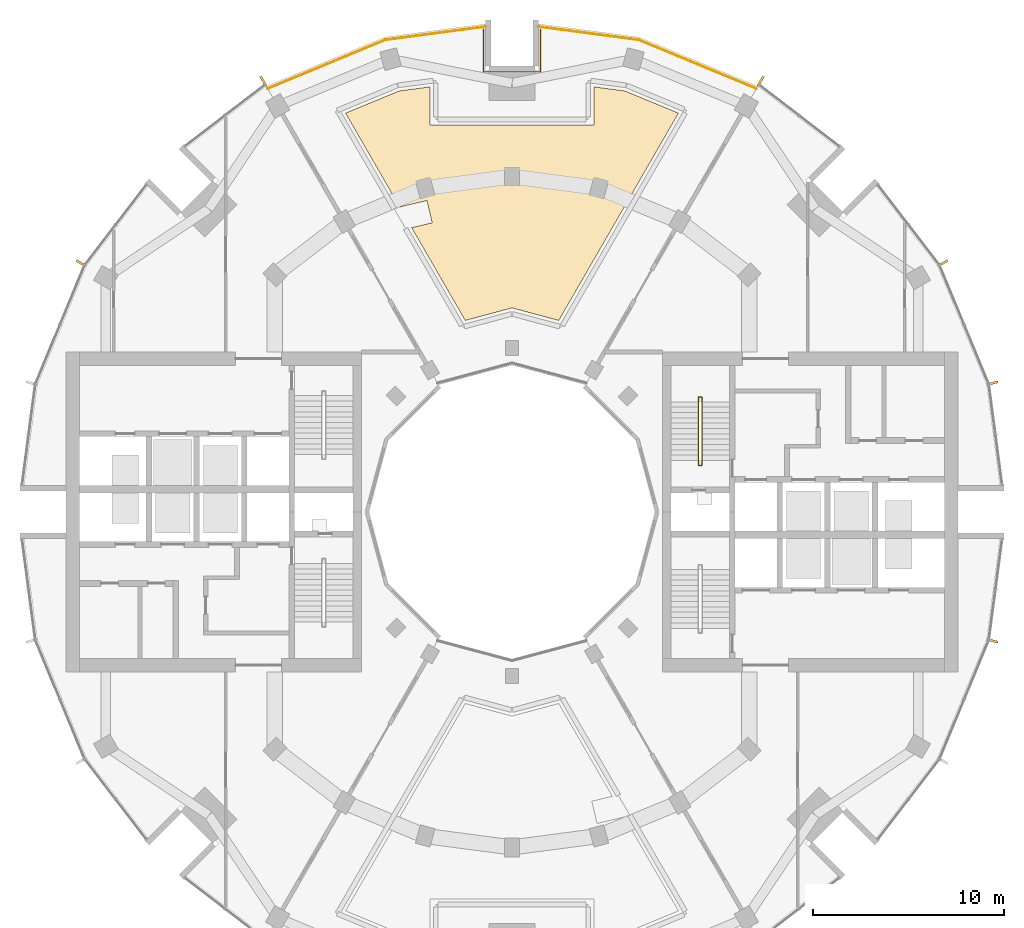
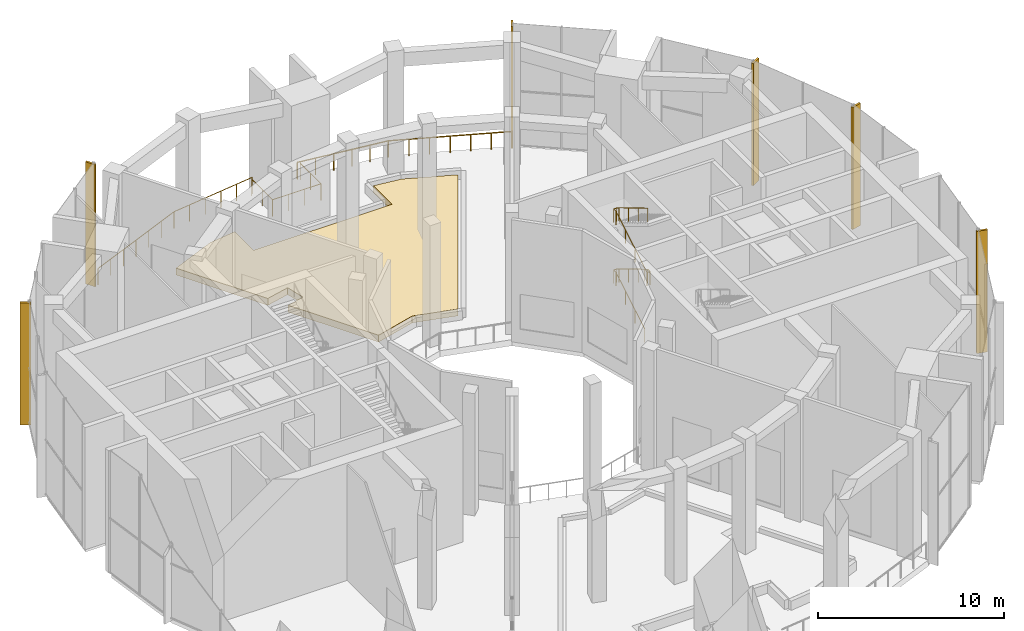
# One storey, part 17 of 18: 6 shading devices, 4 railings, 1 covering.
"""IFC4 building model written with IfcOpenShell, lengths in metres."""

from ifc_helpers import new_model, si_unit, direction, frame, origin, origin_2d, place, context, subcontext, project, spatial, polyline, rectangle, circle, outline, extrude, material, layer, layer_set, material_profile, profile_set, type_object, element, save


model = new_model("IFC4")

# Units and contexts
model_context = context("Model", 3, precision=1e-05, world=origin(), true_north=direction((0.0, 1.0)))
body_context = subcontext(model_context, "Body", "Model", "MODEL_VIEW")
ifc_project = project(units=[si_unit("LENGTHUNIT", "METRE"), si_unit("AREAUNIT", "SQUARE_METRE"), si_unit("VOLUMEUNIT", "CUBIC_METRE"), si_unit("PLANEANGLEUNIT", "RADIAN"), si_unit("MASSUNIT", "GRAM", prefix="KILO")], contexts=[model_context])

# Site, building, storey
site_placement = place(None, origin())
site = spatial("IfcSite", under=ifc_project, at=site_placement, CompositionType="ELEMENT")
building_placement = place(site_placement, origin())
building = spatial("IfcBuilding", under=site, at=building_placement, Name="Torre Brocal", CompositionType="ELEMENT")
storey_placement = place(building_placement, frame((0.0, 0.0, 149.699951171875)))
storey = spatial("IfcBuildingStorey", under=building, at=storey_placement, Name="L35", CompositionType="ELEMENT", Elevation=149.699951171875)

# Shading devices
ifc_material_1 = material(Name="Aluminium, black anodised", Category="aluminium")
ifc_material_profile = material_profile(ifc_material_1, rectangle(XDim=0.1201171875, YDim=0.60009765625, at=origin_2d()), Name="FIN 120X600 8000 HIGH")
ifc_profile_set = profile_set([ifc_material_profile], Name="Aluminium, black anodised")
shading_device_type = type_object("IfcShadingDeviceType", Name="FIN 120X600 8000 HIGH", PredefinedType="USERDEFINED", material=ifc_profile_set)
for number, where, z_axis, x_axis, name in (
    (1, (105.208984375, 81.754638671875, -0.14990234375), (0.0, 0.0, 1.0), (-0.258819045103, 0.965925826289, 0.0), "FIN"),
    (2, (102.601806640625, 88.049072265625, -0.14990234375), (0.0, 0.0, 1.0), (-0.5, 0.866025403784, 0.0), "FIN"),
    (3, (93.049072265625, 97.601806640625, -0.14990234375), (0.0, 0.0, 1.0), (-0.866025403784, 0.5, 0.0), "FIN"),
    (4, (66.950927734375, 97.601806640625, -0.14990234375), (0.0, 0.0, 1.0), (-0.866025403784, -0.5, 0.0), "FIN"),
    (5, (57.398193359375, 88.049072265625, -0.14990234375), (0.0, 0.0, 1.0), (-0.5, -0.866025403784, 0.0), "FIN"),
    (6, (105.208984375, 68.245361328125, -0.14990234375), (0.0, 0.0, 1.0), (0.258819045103, 0.965925826289, 0.0), "FIN"),
):
    element("IfcShadingDevice", number, at=place(storey_placement, frame(where, z_axis=z_axis, x_axis=x_axis)), inside=storey, type_object=shading_device_type, Name=name, ObjectType="FIN", PredefinedType="USERDEFINED", context=body_context, shape_type="SweptSolid", body=[
        extrude(rectangle(XDim=0.1201171875, YDim=0.60009765625, at=origin_2d()), origin(), (0.0, 0.0, 1.0), 8.0),
    ])

# Railings
ifc_material_2 = material(Name="Laminated glass", Category="glass")
railing_type_1 = type_object("IfcRailingType", Name="GLASS BALUSTRADE 1100", PredefinedType="BALUSTRADE", material=ifc_material_2)
railing_1_placement = place(storey_placement, frame((92.823486328125, 97.2109375, 0.0)))
element("IfcRailing", 7, at=railing_1_placement, inside=storey, type_object=railing_type_1, Name="GLASS BALUSTRADE", PredefinedType="BALUSTRADE", context=body_context, shape_type="SweptSolid", body=[
    extrude(circle(Radius=0.02392578125, at=origin_2d()), frame((0.0, 0.0, 1.076171875), z_axis=(-0.923873277269, 0.382698533507, 0.0), x_axis=(-0.382698533507, -0.923873277269, 0.0)), (0.0, 0.0, 1.0), 6.6953125),
    extrude(circle(Radius=0.02392578125, at=origin_2d()), frame((-6.185546875, 2.562255859375, 1.076171875), z_axis=(-0.991448474977, 0.130498741241, 0.0), x_axis=(-0.130498741241, -0.991448474977, 0.0)), (0.0, 0.0, 1.0), 5.283203125),
    extrude(circle(Radius=0.02099609375, at=origin_2d()), origin(), (0.0, 0.0, 1.0), 1.052001953125),
    extrude(circle(Radius=0.02099609375, at=origin_2d()), frame((-1.031005859375, 0.427001953125, 0.0)), (0.0, 0.0, 1.0), 1.052001953125),
    extrude(circle(Radius=0.02099609375, at=origin_2d()), frame((-2.061767578125, 0.85400390625, 0.0)), (0.0, 0.0, 1.0), 1.052001953125),
    extrude(circle(Radius=0.02099609375, at=origin_2d()), frame((-3.0927734375, 1.28125, 0.0)), (0.0, 0.0, 1.0), 1.052001953125),
    extrude(circle(Radius=0.02099609375, at=origin_2d()), frame((-4.123779296875, 1.708251953125, 0.0)), (0.0, 0.0, 1.0), 1.052001953125),
    extrude(circle(Radius=0.02099609375, at=origin_2d()), frame((-5.154541015625, 2.13525390625, 0.0)), (0.0, 0.0, 1.0), 1.052001953125),
    extrude(circle(Radius=0.02099609375, at=origin_2d()), frame((-6.185546875, 2.562255859375, 0.0)), (0.0, 0.0, 1.0), 1.052001953125),
    extrude(circle(Radius=0.02099609375, at=origin_2d()), frame((-7.233154296875, 2.7001953125, 0.0)), (0.0, 0.0, 1.0), 1.052001953125),
    extrude(circle(Radius=0.02099609375, at=origin_2d()), frame((-8.28076171875, 2.838134765625, 0.0)), (0.0, 0.0, 1.0), 1.052001953125),
    extrude(circle(Radius=0.02099609375, at=origin_2d()), frame((-9.328369140625, 2.975830078125, 0.0)), (0.0, 0.0, 1.0), 1.052001953125),
    extrude(circle(Radius=0.02099609375, at=origin_2d()), frame((-10.3759765625, 3.11376953125, 0.0)), (0.0, 0.0, 1.0), 1.052001953125),
    extrude(circle(Radius=0.02099609375, at=origin_2d()), frame((-11.423583984375, 3.251708984375, 0.0)), (0.0, 0.0, 1.0), 1.052001953125),
])
railing_2_placement = place(storey_placement, frame((78.60009765625, 100.462646484375, 0.0)))
element("IfcRailing", 8, at=railing_2_placement, inside=storey, type_object=railing_type_1, Name="GLASS BALUSTRADE", PredefinedType="BALUSTRADE", context=body_context, shape_type="SweptSolid", body=[
    extrude(circle(Radius=0.02392578125, at=origin_2d()), frame((0.0, 0.0, 1.076171875), z_axis=(-0.991448474977, -0.130498741241, 0.0), x_axis=(0.130498741241, -0.991448474977, 0.0)), (0.0, 0.0, 1.0), 5.283203125),
    extrude(circle(Radius=0.02392578125, at=origin_2d()), frame((-5.238037109375, -0.689453125, 1.076171875), z_axis=(-0.923873277269, -0.382698533507, 0.0), x_axis=(0.382698533507, -0.923873277269, 0.0)), (0.0, 0.0, 1.0), 6.6953125),
    extrude(circle(Radius=0.02099609375, at=origin_2d()), origin(), (0.0, 0.0, 1.0), 1.052001953125),
    extrude(circle(Radius=0.02099609375, at=origin_2d()), frame((-1.047607421875, -0.137939453125, 0.0)), (0.0, 0.0, 1.0), 1.052001953125),
    extrude(circle(Radius=0.02099609375, at=origin_2d()), frame((-2.09521484375, -0.27587890625, 0.0)), (0.0, 0.0, 1.0), 1.052001953125),
    extrude(circle(Radius=0.02099609375, at=origin_2d()), frame((-3.142822265625, -0.41357421875, 0.0)), (0.0, 0.0, 1.0), 1.052001953125),
    extrude(circle(Radius=0.02099609375, at=origin_2d()), frame((-4.1904296875, -0.551513671875, 0.0)), (0.0, 0.0, 1.0), 1.052001953125),
    extrude(circle(Radius=0.02099609375, at=origin_2d()), frame((-5.238037109375, -0.689453125, 0.0)), (0.0, 0.0, 1.0), 1.052001953125),
    extrude(circle(Radius=0.02099609375, at=origin_2d()), frame((-6.26904296875, -1.116455078125, 0.0)), (0.0, 0.0, 1.0), 1.052001953125),
    extrude(circle(Radius=0.02099609375, at=origin_2d()), frame((-7.2998046875, -1.54345703125, 0.0)), (0.0, 0.0, 1.0), 1.052001953125),
    extrude(circle(Radius=0.02099609375, at=origin_2d()), frame((-8.330810546875, -1.970703125, 0.0)), (0.0, 0.0, 1.0), 1.052001953125),
    extrude(circle(Radius=0.02099609375, at=origin_2d()), frame((-9.36181640625, -2.397705078125, 0.0)), (0.0, 0.0, 1.0), 1.052001953125),
    extrude(circle(Radius=0.02099609375, at=origin_2d()), frame((-10.392578125, -2.82470703125, 0.0)), (0.0, 0.0, 1.0), 1.052001953125),
    extrude(circle(Radius=0.02099609375, at=origin_2d()), frame((-11.423583984375, -3.251708984375, 0.0)), (0.0, 0.0, 1.0), 1.052001953125),
])
ifc_material_3 = material(Name="Steel A36", Category="steel")
railing_type_2 = type_object("IfcRailingType", Name="GUARD 1100", PredefinedType="GUARDRAIL", material=ifc_material_3)
railing_3_placement = place(storey_placement, frame((78.5, 100.328369140625, 0.0)))
element("IfcRailing", 9, at=railing_3_placement, inside=storey, type_object=railing_type_2, Name="GUARD", PredefinedType="GUARDRAIL", context=body_context, shape_type="SweptSolid", body=[
    extrude(circle(Radius=0.02392578125, at=origin_2d()), frame((0.0, 0.0, 1.076171875), z_axis=(0.0, -1.0, 0.0), x_axis=(1.0, 0.0, 0.0)), (0.0, 0.0, 1.0), 2.228271484375),
    extrude(circle(Radius=0.02392578125, at=origin_2d()), frame((0.0, -2.228271484375, 1.076171875), z_axis=(1.0, 0.0, 0.0), x_axis=(0.0, 1.0, 0.0)), (0.0, 0.0, 1.0), 3.0),
    extrude(circle(Radius=0.02392578125, at=origin_2d()), frame((3.0, -2.228271484375, 1.076171875), z_axis=(0.0, 1.0, 0.0), x_axis=(-1.0, 0.0, 0.0)), (0.0, 0.0, 1.0), 2.228271484375),
    extrude(circle(Radius=0.02099609375, at=origin_2d()), origin(), (0.0, 0.0, 1.0), 1.052001953125),
    extrude(circle(Radius=0.02099609375, at=origin_2d()), frame((0.0, -1.1142578125, 0.0)), (0.0, 0.0, 1.0), 1.052001953125),
    extrude(circle(Radius=0.02099609375, at=origin_2d()), frame((0.0, -2.228271484375, 0.0)), (0.0, 0.0, 1.0), 1.052001953125),
    extrude(circle(Radius=0.02099609375, at=origin_2d()), frame((1.0, -2.228271484375, 0.0)), (0.0, 0.0, 1.0), 1.052001953125),
    extrude(circle(Radius=0.02099609375, at=origin_2d()), frame((2.0, -2.228271484375, 0.0)), (0.0, 0.0, 1.0), 1.052001953125),
    extrude(circle(Radius=0.02099609375, at=origin_2d()), frame((3.0, -2.228271484375, 0.0)), (0.0, 0.0, 1.0), 1.052001953125),
    extrude(circle(Radius=0.02099609375, at=origin_2d()), frame((3.0, -1.1142578125, 0.0)), (0.0, 0.0, 1.0), 1.052001953125),
    extrude(circle(Radius=0.02099609375, at=origin_2d()), frame((3.0, 0.0, 0.0)), (0.0, 0.0, 1.0), 1.052001953125),
])

# Covering
ifc_material_4 = material(Name="Planting soil")
ifc_layer = layer(ifc_material_4, 0.449951171875)
ifc_layer_set = layer_set([ifc_layer], Name="Planting soil")
covering_type = type_object("IfcCoveringType", Name="PLANTING SOIL 450", PredefinedType="FLOORING", material=ifc_layer_set)
covering_placement = place(storey_placement, origin())
element("IfcCovering", 10, at=covering_placement, inside=storey, type_object=covering_type, Name="PLANTING SOIL", PredefinedType="FLOORING", context=body_context, shape_type="SweptSolid", body=[
    extrude(outline(polyline([(75.699951171875, 97.30712890625), (75.699951171875, 95.300048828125), (84.300048828125, 95.300048828125), (84.300048828125, 97.30712890625), (85.919921875, 97.09375), (88.734375, 95.92822265625), (82.45458984375, 85.051513671875), (80.0, 85.70947265625), (77.54541015625, 85.051513671875), (74.7353515625, 89.91845703125), (75.813232421875, 90.174560546875), (75.53564453125, 91.342041015625), (74.109375, 91.003173828125), (71.265625, 95.92822265625), (74.080078125, 97.09375), (75.699951171875, 97.30712890625)])), origin(), (0.0, 0.0, 1.0), 0.449951171875),
])

# Railing
ifc_material_5 = material(Name="Stainless steel AISI 316", Category="steel")
railing_type_3 = type_object("IfcRailingType", Name="STAIR HANDRAIL", PredefinedType="HANDRAIL", material=ifc_material_5)
railing_4_placement = place(storey_placement, frame((89.780029296875, 77.699951171875, 0.166748046875)))
element("IfcRailing", 11, at=railing_4_placement, inside=storey, type_object=railing_type_3, Name="HANDRAIL ST1", PredefinedType="HANDRAIL", context=body_context, shape_type="SweptSolid", body=[
    extrude(circle(Radius=0.02392578125, at=origin_2d()), frame((0.0, 0.0, 0.8759765625), z_axis=(0.0, 0.859308565015, 0.511457515432), x_axis=(-1.0, 0.0, 0.0)), (0.0, 0.0, 1.0), 3.58447265625),
    extrude(circle(Radius=0.02392578125, at=origin_2d()), frame((0.0, 3.080078125, 2.708984375), z_axis=(0.0, 1.0, 0.0), x_axis=(-1.0, 0.0, 0.0)), (0.0, 0.0, 1.0), 0.25),
    extrude(circle(Radius=0.02392578125, at=origin_2d()), frame((0.0, 3.330078125, 2.708984375), z_axis=(1.0, 0.0, 0.0), x_axis=(0.0, 1.0, 0.0)), (0.0, 0.0, 1.0), 0.18994140625),
    extrude(circle(Radius=0.02392578125, at=origin_2d()), frame((0.18994140625, 3.330078125, 2.708984375), z_axis=(0.0, -0.831925284441, 0.554887665306), x_axis=(1.0, 0.0, 0.0)), (0.0, 0.0, 1.0), 0.300537109375),
    extrude(circle(Radius=0.02392578125, at=origin_2d()), frame((0.18994140625, 3.080078125, 2.8759765625), z_axis=(0.0, -0.859308565015, 0.511457515432), x_axis=(1.0, 0.0, 0.0)), (0.0, 0.0, 1.0), 3.58447265625),
    extrude(circle(Radius=0.02392578125, at=origin_2d()), frame((0.18994140625, 0.0, 4.708984375), z_axis=(0.0, -1.0, 0.0), x_axis=(1.0, 0.0, 0.0)), (0.0, 0.0, 1.0), 0.25),
    extrude(circle(Radius=0.02392578125, at=origin_2d()), frame((0.18994140625, -0.25, 4.708984375), z_axis=(-1.0, 0.0, 0.0), x_axis=(0.0, -1.0, 0.0)), (0.0, 0.0, 1.0), 0.18994140625),
    extrude(circle(Radius=0.02392578125, at=origin_2d()), frame((0.0, -0.25, 4.708984375), z_axis=(0.0, 0.831925284441, 0.554887665306), x_axis=(-1.0, 0.0, 0.0)), (0.0, 0.0, 1.0), 0.300537109375),
    extrude(circle(Radius=0.02392578125, at=origin_2d()), frame((0.0, 0.0, 4.8759765625), z_axis=(0.0, 0.859308565015, 0.511457515432), x_axis=(-1.0, 0.0, 0.0)), (0.0, 0.0, 1.0), 3.58447265625),
    extrude(circle(Radius=0.02392578125, at=origin_2d()), frame((0.0, 3.080078125, 6.708984375), z_axis=(0.0, 1.0, 0.0), x_axis=(-1.0, 0.0, 0.0)), (0.0, 0.0, 1.0), 0.25),
    extrude(circle(Radius=0.02392578125, at=origin_2d()), frame((0.0, 3.330078125, 6.708984375), z_axis=(1.0, 0.0, 0.0), x_axis=(0.0, 1.0, 0.0)), (0.0, 0.0, 1.0), 0.18994140625),
    extrude(circle(Radius=0.02392578125, at=origin_2d()), frame((0.18994140625, 3.330078125, 6.708984375), z_axis=(0.0, -0.831925284441, 0.554887665306), x_axis=(1.0, 0.0, 0.0)), (0.0, 0.0, 1.0), 0.300537109375),
    extrude(circle(Radius=0.02392578125, at=origin_2d()), frame((0.18994140625, 3.080078125, 6.8759765625), z_axis=(0.0, -0.859308565015, 0.511457515432), x_axis=(1.0, 0.0, 0.0)), (0.0, 0.0, 1.0), 3.58447265625),
    extrude(circle(Radius=0.02099609375, at=origin_2d()), origin(), (0.0, 0.0, 1.0), 0.851806640625),
    extrude(circle(Radius=0.02099609375, at=origin_2d()), frame((0.0, 1.026611328125, 0.611083984375)), (0.0, 0.0, 1.0), 0.851806640625),
    extrude(circle(Radius=0.02099609375, at=origin_2d()), frame((0.0, 2.053466796875, 1.22216796875)), (0.0, 0.0, 1.0), 0.851806640625),
    extrude(circle(Radius=0.02099609375, at=origin_2d()), frame((0.0, 3.080078125, 1.833251953125)), (0.0, 0.0, 1.0), 0.851806640625),
    extrude(circle(Radius=0.02099609375, at=origin_2d()), frame((0.0, 3.330078125, 1.833251953125)), (0.0, 0.0, 1.0), 0.851806640625),
    extrude(circle(Radius=0.02099609375, at=origin_2d()), frame((0.18994140625, 3.330078125, 1.833251953125)), (0.0, 0.0, 1.0), 0.851806640625),
    extrude(circle(Radius=0.02099609375, at=origin_2d()), frame((0.18994140625, 3.080078125, 2.0)), (0.0, 0.0, 1.0), 0.851806640625),
    extrude(circle(Radius=0.02099609375, at=origin_2d()), frame((0.18994140625, 2.053466796875, 2.611083984375)), (0.0, 0.0, 1.0), 0.851806640625),
    extrude(circle(Radius=0.02099609375, at=origin_2d()), frame((0.18994140625, 1.026611328125, 3.22216796875)), (0.0, 0.0, 1.0), 0.851806640625),
    extrude(circle(Radius=0.02099609375, at=origin_2d()), frame((0.18994140625, 0.0, 3.833251953125)), (0.0, 0.0, 1.0), 0.851806640625),
    extrude(circle(Radius=0.02099609375, at=origin_2d()), frame((0.18994140625, -0.25, 3.833251953125)), (0.0, 0.0, 1.0), 0.851806640625),
    extrude(circle(Radius=0.02099609375, at=origin_2d()), frame((0.0, -0.25, 3.833251953125)), (0.0, 0.0, 1.0), 0.851806640625),
    extrude(circle(Radius=0.02099609375, at=origin_2d()), frame((0.0, 0.0, 4.0)), (0.0, 0.0, 1.0), 0.851806640625),
    extrude(circle(Radius=0.02099609375, at=origin_2d()), frame((0.0, 1.026611328125, 4.611083984375)), (0.0, 0.0, 1.0), 0.851806640625),
    extrude(circle(Radius=0.02099609375, at=origin_2d()), frame((0.0, 2.053466796875, 5.22216796875)), (0.0, 0.0, 1.0), 0.851806640625),
    extrude(circle(Radius=0.02099609375, at=origin_2d()), frame((0.0, 3.080078125, 5.833251953125)), (0.0, 0.0, 1.0), 0.851806640625),
    extrude(circle(Radius=0.02099609375, at=origin_2d()), frame((0.0, 3.330078125, 5.833251953125)), (0.0, 0.0, 1.0), 0.851806640625),
    extrude(circle(Radius=0.02099609375, at=origin_2d()), frame((0.18994140625, 3.330078125, 5.833251953125)), (0.0, 0.0, 1.0), 0.851806640625),
    extrude(circle(Radius=0.02099609375, at=origin_2d()), frame((0.18994140625, 3.080078125, 6.0)), (0.0, 0.0, 1.0), 0.851806640625),
    extrude(circle(Radius=0.02099609375, at=origin_2d()), frame((0.18994140625, 2.053466796875, 6.611083984375)), (0.0, 0.0, 1.0), 0.851806640625),
    extrude(circle(Radius=0.02099609375, at=origin_2d()), frame((0.18994140625, 1.026611328125, 7.22216796875)), (0.0, 0.0, 1.0), 0.851806640625),
    extrude(circle(Radius=0.02099609375, at=origin_2d()), frame((0.18994140625, 0.0, 7.833251953125)), (0.0, 0.0, 1.0), 0.851806640625),
])

save(model, "model.ifc")
